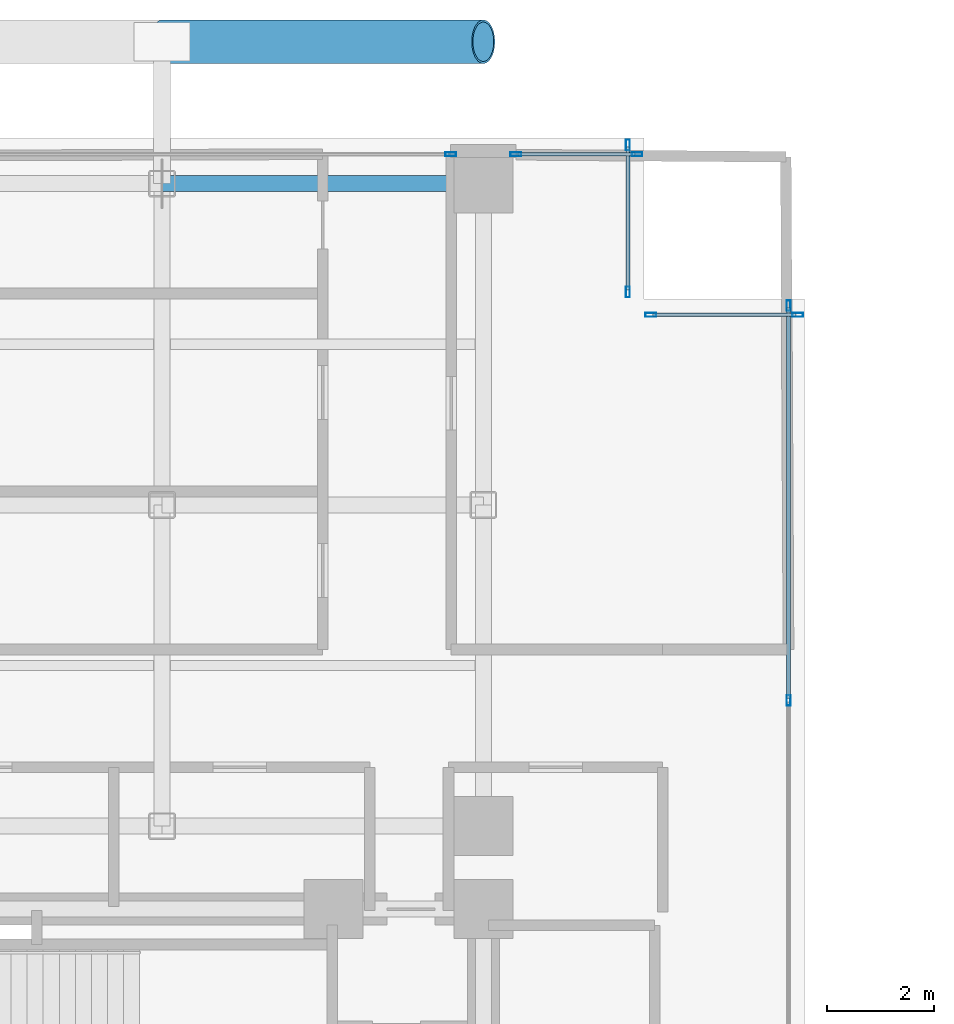
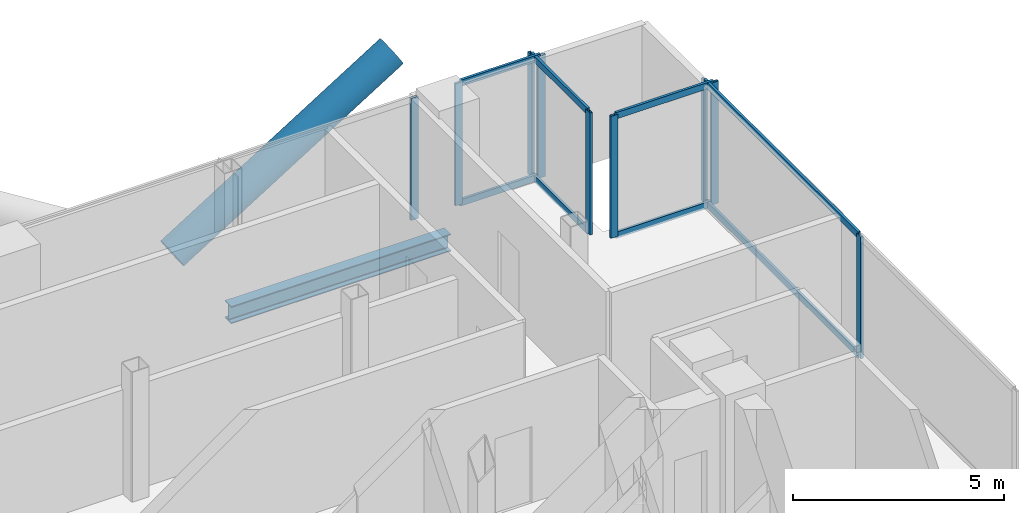
# One storey, part 16 of 24: 18 members, 1 beam, 5 elements without a shape of their own.
"""IFC4 building model written with IfcOpenShell, lengths in metres."""

import ifcopenshell
import ifcopenshell.guid

model = None  # the IFC model being written
_history = None  # IfcOwnerHistory: only IFC2X3 demands one
_inside = {}  # id of a spatial element -> (the spatial element, [elements in it])
_under = {}  # id of a project, library or spatial element -> (it, [spatial elements below it])
_declared = {}  # id of a project -> (the project, [libraries it declares])
_typed = {}  # id of a type object -> (the type object, [elements of that type])
_made_of = {}  # id of a material, layer set ... -> (it, [elements and type objects made of it])


def new_model(schema):
    """Start an empty IFC model of exactly this schema.

    Asked for "IFC4X3", IfcOpenShell would pick the latest addendum, in which some entities
    have other attributes; the version numbers below select the first issue.
    IFC2X3 requires an IfcOwnerHistory on every rooted entity: one is made here for all.
    """
    global model, _history
    if schema == "IFC4X3":
        model = ifcopenshell.file(schema_version=(4, 3, 0, 0))
    else:
        model = ifcopenshell.file(schema=schema)
    _inside.clear()
    _under.clear()
    _declared.clear()
    _typed.clear()
    _made_of.clear()
    _history = None
    if model.schema == "IFC2X3":
        org = make("IfcOrganization", Name="unknown")
        user = make(
            "IfcPersonAndOrganization",
            ThePerson=make("IfcPerson", FamilyName="unknown"),
            TheOrganization=org,
        )
        app = make(
            "IfcApplication",
            ApplicationDeveloper=org,
            Version="unknown",
            ApplicationFullName="unknown",
            ApplicationIdentifier="unknown",
        )
        _history = make(
            "IfcOwnerHistory",
            OwningUser=user,
            OwningApplication=app,
            ChangeAction="ADDED",
            CreationDate=0,
        )
    return model


def make(cls, **values):
    """One entity of the class cls with the attributes given. An attribute that is None is left unset."""
    return model.create_entity(
        cls, **{name: value for name, value in values.items() if value is not None}
    )


def rooted(cls, **values):
    """An entity with a GlobalId (a new one), such as an element, a storey or a relation."""
    return make(cls, GlobalId=ifcopenshell.guid.new(), OwnerHistory=_history, **values)


def si_unit(unit_type, name, prefix=None):
    """IfcSIUnit, for example si_unit("LENGTHUNIT", "METRE", prefix="MILLI")."""
    return make("IfcSIUnit", UnitType=unit_type, Prefix=prefix, Name=name)


def assignment(units):
    """IfcUnitAssignment: the units of a project."""
    return None if units is None else make("IfcUnitAssignment", Units=units)


def point(xyz):
    """IfcCartesianPoint."""
    return None if xyz is None else make("IfcCartesianPoint", Coordinates=xyz)


def direction(xyz):
    """IfcDirection."""
    return None if xyz is None else make("IfcDirection", DirectionRatios=xyz)


def frame(location, z_axis=None, x_axis=None):
    """IfcAxis2Placement3D, a coordinate frame: its origin and axes. An axis left out is left unset."""
    return make(
        "IfcAxis2Placement3D",
        Location=point(location),
        Axis=direction(z_axis),
        RefDirection=direction(x_axis),
    )


def frame_2d(location, x_axis=None):
    """IfcAxis2Placement2D, a coordinate frame in the plane: its origin and x axis."""
    return make(
        "IfcAxis2Placement2D", Location=point(location), RefDirection=direction(x_axis)
    )


def origin():
    """The frame at (0, 0, 0) with its axes left unset."""
    return frame((0.0, 0.0, 0.0))


def origin_2d():
    """The frame at (0, 0) in the plane with its x axis left unset."""
    return frame_2d((0.0, 0.0))


def place(relative_to, where):
    """IfcLocalPlacement: puts the frame where relative to a parent placement (None: the world)."""
    return make(
        "IfcLocalPlacement", PlacementRelTo=relative_to, RelativePlacement=where
    )


def context(
    kind, dimensions, precision=None, world=None, true_north=None, identifier=None
):
    """IfcGeometricRepresentationContext, for example the 3D "Model" context."""
    return make(
        "IfcGeometricRepresentationContext",
        ContextIdentifier=identifier,
        ContextType=kind,
        CoordinateSpaceDimension=dimensions,
        Precision=precision,
        WorldCoordinateSystem=world,
        TrueNorth=true_north,
    )


def subcontext(parent, identifier, kind, view, scale=None):
    """IfcGeometricRepresentationSubContext, for example "Body" below "Model"."""
    return make(
        "IfcGeometricRepresentationSubContext",
        ContextIdentifier=identifier,
        ContextType=kind,
        ParentContext=parent,
        TargetScale=scale,
        TargetView=view,
    )


def project(units=None, contexts=None):
    """IfcProject with its units and contexts."""
    return rooted(
        "IfcProject",
        Name="project",
        RepresentationContexts=contexts,
        UnitsInContext=assignment(units),
    )


def spatial(cls, under=None, at=None, **own):
    """A site, building, storey or space (cls), placed at a placement, below another one or the project."""
    s = rooted(cls, ObjectPlacement=at, **own)
    if under is not None:
        _under.setdefault(under.id(), (under, []))[1].append(s)
    return s


def profile(cls, at=None, kind="AREA", **sizes):
    """A parametric profile (cls). Its sizes go by their IFC names, for example OverallWidth=200.0."""
    return make(cls, ProfileType=kind, Position=at, **sizes)


def hollow_rectangle(**sizes):
    """IfcRectangleHollowProfileDef."""
    return profile("IfcRectangleHollowProfileDef", **sizes)


def hollow_circle(**sizes):
    """IfcCircleHollowProfileDef."""
    return profile("IfcCircleHollowProfileDef", **sizes)


def i_section(**sizes):
    """IfcIShapeProfileDef."""
    return profile("IfcIShapeProfileDef", **sizes)


def extrude(swept, where, along, depth):
    """IfcExtrudedAreaSolid: the profile swept, set in the frame where, extruded along a direction by depth."""
    return make(
        "IfcExtrudedAreaSolid",
        SweptArea=swept,
        Position=where,
        ExtrudedDirection=direction(along),
        Depth=depth,
    )


def shape(context_of_items, identifier, shape_type, items):
    """IfcShapeRepresentation: the items that make up one representation, for example the "Body"."""
    return make(
        "IfcShapeRepresentation",
        ContextOfItems=context_of_items,
        RepresentationIdentifier=identifier,
        RepresentationType=shape_type,
        Items=items,
    )


def material(Name=None, Category=None):
    """IfcMaterial."""
    return make("IfcMaterial", Name=Name, Category=Category)


def layer(
    of_material, thickness, ventilated=None, Name=None, Category=None, Priority=None
):
    """IfcMaterialLayer: one layer of a wall or slab, of a material (None: an air gap)."""
    return make(
        "IfcMaterialLayer",
        Material=of_material,
        LayerThickness=thickness,
        IsVentilated=ventilated,
        Name=Name,
        Category=Category,
        Priority=Priority,
    )


def layer_set(layers, Name=None):
    """IfcMaterialLayerSet."""
    return make("IfcMaterialLayerSet", MaterialLayers=layers, LayerSetName=Name)


def material_profile(
    of_material, cross_section, Name=None, Category=None, Priority=None
):
    """IfcMaterialProfile: a cross section and its material."""
    return make(
        "IfcMaterialProfile",
        Name=Name,
        Material=of_material,
        Profile=cross_section,
        Priority=Priority,
        Category=Category,
    )


def profile_set(profiles, Name=None, composite=None):
    """IfcMaterialProfileSet."""
    return make(
        "IfcMaterialProfileSet",
        Name=Name,
        MaterialProfiles=profiles,
        CompositeProfile=composite,
    )


def made_of(thing, what):
    """Note that an element or type object is made of a material, layer set ...; save() writes the relation."""
    if what is not None:
        _made_of.setdefault(what.id(), (what, []))[1].append(thing)
    return thing


def type_object(cls, material=None, **own):
    """A type object (cls), such as IfcWallType, which elements share."""
    return made_of(rooted(cls, **own), material)


def element(
    cls,
    number,
    at=None,
    inside=None,
    cuts=None,
    type_object=None,
    material=None,
    context=None,
    identifier="Body",
    shape_type=None,
    held_by="IfcProductDefinitionShape",
    body=None,
    shapes=None,
    **own,
):
    """One element of the class cls, such as IfcWall. Its Tag is "e" and its number.

    at: its placement. inside: the storey or other place that contains it. cuts: it is an
    opening in that element (IfcRelVoidsElement). A single representation is given by context,
    identifier, shape_type and body (its items); several are given by shapes. held_by: the class
    of the entity that holds the representations. save() writes the other relations.
    """
    e = rooted(cls, Tag="e%d" % number, ObjectPlacement=at, **own)
    if body is not None:
        shapes = [shape(context, identifier, shape_type, body)]
    if shapes is not None:
        e.Representation = make(held_by, Representations=shapes)
    if inside is not None:
        _inside.setdefault(inside.id(), (inside, []))[1].append(e)
    if cuts is not None:
        rooted(
            "IfcRelVoidsElement", RelatingBuildingElement=cuts, RelatedOpeningElement=e
        )
    if type_object is not None:
        _typed.setdefault(type_object.id(), (type_object, []))[1].append(e)
    return made_of(e, material)


def aggregate(whole, parts):
    """IfcRelAggregates: a whole, such as a stair, and the parts it consists of."""
    return rooted("IfcRelAggregates", RelatingObject=whole, RelatedObjects=parts)


def save(model, path):
    """Write the relations noted so far, then the file.

    IfcRelAggregates (storeys below a building ...), IfcRelContainedInSpatialStructure (elements
    in a storey), IfcRelDefinesByType, IfcRelAssociatesMaterial and IfcRelDeclares: one each for
    every whole, place, type object, material and project.
    """
    for whole, parts in _under.values():
        aggregate(whole, parts)
    for where, things in _inside.values():
        rooted(
            "IfcRelContainedInSpatialStructure",
            RelatedElements=things,
            RelatingStructure=where,
        )
    for kind, things in _typed.values():
        rooted("IfcRelDefinesByType", RelatedObjects=things, RelatingType=kind)
    for what, things in _made_of.values():
        rooted("IfcRelAssociatesMaterial", RelatedObjects=things, RelatingMaterial=what)
    for by, libraries in _declared.values():
        rooted("IfcRelDeclares", RelatingContext=by, RelatedDefinitions=libraries)
    model.write(path)


model = new_model("IFC4")

# Units and contexts
model_context = context("Model", 3, precision=1e-05, world=origin(), true_north=direction((0.0, 1.0)))
body_context = subcontext(model_context, "Body", "Model", "MODEL_VIEW")
ifc_project = project(units=[si_unit("LENGTHUNIT", "METRE"), si_unit("AREAUNIT", "SQUARE_METRE"), si_unit("VOLUMEUNIT", "CUBIC_METRE"), si_unit("PLANEANGLEUNIT", "RADIAN"), si_unit("MASSUNIT", "GRAM", prefix="KILO"), si_unit("THERMODYNAMICTEMPERATUREUNIT", "KELVIN"), si_unit("POWERUNIT", "WATT")], contexts=[model_context])

# Site, building, storey
site_placement = place(None, origin())
site = spatial("IfcSite", under=ifc_project, at=site_placement, CompositionType="ELEMENT")
building_placement = place(site_placement, origin())
building = spatial("IfcBuilding", under=site, at=building_placement, Name="Svarakhadi Broadcast Tower", CompositionType="ELEMENT")
storey_placement = place(building_placement, frame((0.0, 0.0, 115.64990234375)))
storey = spatial("IfcBuildingStorey", under=building, at=storey_placement, Name="L27", CompositionType="ELEMENT", Elevation=115.64990234375)

# Curtain wall, member
ifc_material_1 = material(Name="Anodised Bronze Aluminium AA 6063-T6", Category="aluminium")
ifc_layer = layer(ifc_material_1, 0.199951171875)
ifc_layer_set = layer_set([ifc_layer], Name="Anodised Bronze Aluminium AA 6063-T6")
curtain_wall_type = type_object("IfcCurtainWallType", Name="CW_Sys_03", PredefinedType="NOTDEFINED", material=ifc_layer_set)
curtain_wall_1_placement = place(storey_placement, origin())
curtain_wall_1 = element("IfcCurtainWall", 1, at=curtain_wall_1_placement, inside=storey, type_object=curtain_wall_type, Name="L27 Unitised Facade Curtain Wall 06 Bay 2", PredefinedType="NOTDEFINED")
ifc_material_profile_1 = material_profile(ifc_material_1, hollow_rectangle(XDim=0.074951171875, YDim=0.199951171875, WallThickness=0.005615234375, at=origin_2d()), Name="ALU MULLION 200x75x6")
ifc_profile_set_1 = profile_set([ifc_material_profile_1], Name="Anodised Bronze Aluminium AA 6063-T6")
member_type_1 = type_object("IfcMemberType", Name="CW_Sys_03_Mul", PredefinedType="MULLION", material=ifc_profile_set_1)
member_1_placement = place(storey_placement, frame((17.392578125, 41.699951171875, 0.0), z_axis=(0.0, 0.0, 1.0), x_axis=(0.0, 1.0, 0.0)))
member_1 = element("IfcMember", 2, at=member_1_placement, type_object=member_type_1, Name="CW-03 mullion 2", PredefinedType="MULLION", context=body_context, shape_type="SweptSolid", body=[
    extrude(hollow_rectangle(XDim=0.074951171875, YDim=0.199951171875, WallThickness=0.005615234375, at=origin_2d()), origin(), (0.0, 0.0, 1.0), 3.525146484375),
])
aggregate(curtain_wall_1, [member_1])

# Curtain wall, members
curtain_wall_2_placement = place(storey_placement, origin())
curtain_wall_2 = element("IfcCurtainWall", 3, at=curtain_wall_2_placement, inside=storey, type_object=curtain_wall_type, Name="L27 Unitised Facade Curtain Wall 06 Bay 3", PredefinedType="NOTDEFINED")
member_2_placement = place(storey_placement, frame((18.607421875, 41.699951171875, 0.0), z_axis=(0.0, 0.0, 1.0), x_axis=(0.0, 1.0, 0.0)))
member_2 = element("IfcMember", 4, at=member_2_placement, type_object=member_type_1, Name="CW-03 mullion 1", PredefinedType="MULLION", context=body_context, shape_type="SweptSolid", body=[
    extrude(hollow_rectangle(XDim=0.074951171875, YDim=0.199951171875, WallThickness=0.005615234375, at=origin_2d()), origin(), (0.0, 0.0, 1.0), 3.525146484375),
])
member_3_placement = place(storey_placement, frame((20.87255859375, 41.699951171875, 0.0), z_axis=(0.0, 0.0, 1.0), x_axis=(0.0, 1.0, 0.0)))
member_3 = element("IfcMember", 5, at=member_3_placement, type_object=member_type_1, Name="CW-03 mullion 2", PredefinedType="MULLION", context=body_context, shape_type="SweptSolid", body=[
    extrude(hollow_rectangle(XDim=0.074951171875, YDim=0.199951171875, WallThickness=0.005615234375, at=origin_2d()), origin(), (0.0, 0.0, 1.0), 3.525146484375),
])

curtain_wall_3_placement = place(storey_placement, origin())
curtain_wall_3 = element("IfcCurtainWall", 6, at=curtain_wall_3_placement, inside=storey, type_object=curtain_wall_type, Name="L27 Unitised Facade Curtain Wall 07", PredefinedType="NOTDEFINED")
member_4_placement = place(storey_placement, frame((20.699951171875, 41.87255859375, 0.0), z_axis=(0.0, 0.0, 1.0), x_axis=(1.0, 0.0, 0.0)))
member_4 = element("IfcMember", 7, at=member_4_placement, type_object=member_type_1, Name="CW-03 mullion 1", PredefinedType="MULLION", context=body_context, shape_type="SweptSolid", body=[
    extrude(hollow_rectangle(XDim=0.074951171875, YDim=0.199951171875, WallThickness=0.005615234375, at=origin_2d()), origin(), (0.0, 0.0, 1.0), 3.525146484375),
])
member_5_placement = place(storey_placement, frame((20.699951171875, 39.12744140625, 0.0), z_axis=(0.0, 0.0, 1.0), x_axis=(1.0, 0.0, 0.0)))
member_5 = element("IfcMember", 8, at=member_5_placement, type_object=member_type_1, Name="CW-03 mullion 2", PredefinedType="MULLION", context=body_context, shape_type="SweptSolid", body=[
    extrude(hollow_rectangle(XDim=0.074951171875, YDim=0.199951171875, WallThickness=0.005615234375, at=origin_2d()), origin(), (0.0, 0.0, 1.0), 3.525146484375),
])

curtain_wall_4_placement = place(storey_placement, origin())
curtain_wall_4 = element("IfcCurtainWall", 9, at=curtain_wall_4_placement, inside=storey, type_object=curtain_wall_type, Name="L27 Unitised Facade Curtain Wall 08", PredefinedType="NOTDEFINED")
member_6_placement = place(storey_placement, frame((21.12744140625, 38.699951171875, 0.0), z_axis=(0.0, 0.0, 1.0), x_axis=(0.0, 1.0, 0.0)))
member_6 = element("IfcMember", 10, at=member_6_placement, type_object=member_type_1, Name="CW-03 mullion 1", PredefinedType="MULLION", context=body_context, shape_type="SweptSolid", body=[
    extrude(hollow_rectangle(XDim=0.074951171875, YDim=0.199951171875, WallThickness=0.005615234375, at=origin_2d()), origin(), (0.0, 0.0, 1.0), 3.525146484375),
])
member_7_placement = place(storey_placement, frame((23.87255859375, 38.699951171875, 0.0), z_axis=(0.0, 0.0, 1.0), x_axis=(0.0, 1.0, 0.0)))
member_7 = element("IfcMember", 11, at=member_7_placement, type_object=member_type_1, Name="CW-03 mullion 2", PredefinedType="MULLION", context=body_context, shape_type="SweptSolid", body=[
    extrude(hollow_rectangle(XDim=0.074951171875, YDim=0.199951171875, WallThickness=0.005615234375, at=origin_2d()), origin(), (0.0, 0.0, 1.0), 3.525146484375),
])

curtain_wall_5_placement = place(storey_placement, origin())
curtain_wall_5 = element("IfcCurtainWall", 12, at=curtain_wall_5_placement, inside=storey, type_object=curtain_wall_type, Name="L27 Unitised Facade Curtain Wall 09", PredefinedType="NOTDEFINED")
member_8_placement = place(storey_placement, frame((23.699951171875, 38.87255859375, 0.0), z_axis=(0.0, 0.0, 1.0), x_axis=(1.0, 0.0, 0.0)))
member_8 = element("IfcMember", 13, at=member_8_placement, type_object=member_type_1, Name="CW-03 mullion 1", PredefinedType="MULLION", context=body_context, shape_type="SweptSolid", body=[
    extrude(hollow_rectangle(XDim=0.074951171875, YDim=0.199951171875, WallThickness=0.005615234375, at=origin_2d()), origin(), (0.0, 0.0, 1.0), 3.525146484375),
])
member_9_placement = place(storey_placement, frame((23.699951171875, 31.5, 0.0), z_axis=(0.0, 0.0, 1.0), x_axis=(1.0, 0.0, 0.0)))
member_9 = element("IfcMember", 14, at=member_9_placement, type_object=member_type_1, Name="CW-03 mullion 2", PredefinedType="MULLION", context=body_context, shape_type="SweptSolid", body=[
    extrude(hollow_rectangle(XDim=0.074951171875, YDim=0.199951171875, WallThickness=0.005615234375, at=origin_2d()), origin(), (0.0, 0.0, 1.0), 3.525146484375),
])

# Member
ifc_material_profile_2 = material_profile(ifc_material_1, hollow_rectangle(XDim=0.070068359375, YDim=0.18505859375, WallThickness=0.0048828125, at=origin_2d()), Name="ALU TRANSOM 185x70x5")
ifc_profile_set_2 = profile_set([ifc_material_profile_2], Name="Anodised Bronze Aluminium AA 6063-T6")
member_type_2 = type_object("IfcMemberType", Name="CW_Sys_03_Trn", PredefinedType="USERDEFINED", material=ifc_profile_set_2)
member_10_placement = place(storey_placement, frame((18.64501953125, 41.699951171875, 0.03515625), z_axis=(1.0, 0.0, 0.0), x_axis=(0.0, 1.0, 0.0)))
member_10 = element("IfcMember", 15, at=member_10_placement, type_object=member_type_2, Name="CW-03 transom 1.1", ObjectType="TRANSOM", PredefinedType="USERDEFINED", context=body_context, shape_type="SweptSolid", body=[
    extrude(hollow_rectangle(XDim=0.070068359375, YDim=0.18505859375, WallThickness=0.0048828125, at=origin_2d()), origin(), (0.0, 0.0, 1.0), 2.18994140625),
])

member_11_placement = place(storey_placement, frame((18.64501953125, 41.699951171875, 3.489990234375), z_axis=(1.0, 0.0, 0.0), x_axis=(0.0, 1.0, 0.0)))
member_11 = element("IfcMember", 16, at=member_11_placement, type_object=member_type_2, Name="CW-03 transom 1.2", ObjectType="TRANSOM", PredefinedType="USERDEFINED", context=body_context, shape_type="SweptSolid", body=[
    extrude(hollow_rectangle(XDim=0.070068359375, YDim=0.18505859375, WallThickness=0.0048828125, at=origin_2d()), origin(), (0.0, 0.0, 1.0), 2.18994140625),
])

aggregate(curtain_wall_2, [member_2, member_3, member_10, member_11])

member_12_placement = place(storey_placement, frame((20.699951171875, 41.8349609375, 0.03515625), z_axis=(0.0, -1.0, 0.0), x_axis=(1.0, 0.0, 0.0)))
member_12 = element("IfcMember", 17, at=member_12_placement, type_object=member_type_2, Name="CW-03 transom 1.1", ObjectType="TRANSOM", PredefinedType="USERDEFINED", context=body_context, shape_type="SweptSolid", body=[
    extrude(hollow_rectangle(XDim=0.070068359375, YDim=0.18505859375, WallThickness=0.0048828125, at=origin_2d()), origin(), (0.0, 0.0, 1.0), 2.669921875),
])

member_13_placement = place(storey_placement, frame((20.699951171875, 41.8349609375, 3.489990234375), z_axis=(0.0, -1.0, 0.0), x_axis=(1.0, 0.0, 0.0)))
member_13 = element("IfcMember", 18, at=member_13_placement, type_object=member_type_2, Name="CW-03 transom 1.2", ObjectType="TRANSOM", PredefinedType="USERDEFINED", context=body_context, shape_type="SweptSolid", body=[
    extrude(hollow_rectangle(XDim=0.070068359375, YDim=0.18505859375, WallThickness=0.0048828125, at=origin_2d()), origin(), (0.0, 0.0, 1.0), 2.669921875),
])

aggregate(curtain_wall_3, [member_4, member_5, member_12, member_13])

member_14_placement = place(storey_placement, frame((21.1650390625, 38.699951171875, 0.03515625), z_axis=(1.0, 0.0, 0.0), x_axis=(0.0, 1.0, 0.0)))
member_14 = element("IfcMember", 19, at=member_14_placement, type_object=member_type_2, Name="CW-03 transom 1.1", ObjectType="TRANSOM", PredefinedType="USERDEFINED", context=body_context, shape_type="SweptSolid", body=[
    extrude(hollow_rectangle(XDim=0.070068359375, YDim=0.18505859375, WallThickness=0.0048828125, at=origin_2d()), origin(), (0.0, 0.0, 1.0), 2.669921875),
])

member_15_placement = place(storey_placement, frame((21.1650390625, 38.699951171875, 3.489990234375), z_axis=(1.0, 0.0, 0.0), x_axis=(0.0, 1.0, 0.0)))
member_15 = element("IfcMember", 20, at=member_15_placement, type_object=member_type_2, Name="CW-03 transom 1.2", ObjectType="TRANSOM", PredefinedType="USERDEFINED", context=body_context, shape_type="SweptSolid", body=[
    extrude(hollow_rectangle(XDim=0.070068359375, YDim=0.18505859375, WallThickness=0.0048828125, at=origin_2d()), origin(), (0.0, 0.0, 1.0), 2.669921875),
])

aggregate(curtain_wall_4, [member_6, member_7, member_14, member_15])

member_16_placement = place(storey_placement, frame((23.699951171875, 38.8349609375, 0.03515625), z_axis=(0.0, -1.0, 0.0), x_axis=(1.0, 0.0, 0.0)))
member_16 = element("IfcMember", 21, at=member_16_placement, type_object=member_type_2, Name="CW-03 transom 1.1", ObjectType="TRANSOM", PredefinedType="USERDEFINED", context=body_context, shape_type="SweptSolid", body=[
    extrude(hollow_rectangle(XDim=0.070068359375, YDim=0.18505859375, WallThickness=0.0048828125, at=origin_2d()), origin(), (0.0, 0.0, 1.0), 7.29736328125),
])

member_17_placement = place(storey_placement, frame((23.699951171875, 38.8349609375, 3.489990234375), z_axis=(0.0, -1.0, 0.0), x_axis=(1.0, 0.0, 0.0)))
member_17 = element("IfcMember", 22, at=member_17_placement, type_object=member_type_2, Name="CW-03 transom 1.2", ObjectType="TRANSOM", PredefinedType="USERDEFINED", context=body_context, shape_type="SweptSolid", body=[
    extrude(hollow_rectangle(XDim=0.070068359375, YDim=0.18505859375, WallThickness=0.0048828125, at=origin_2d()), origin(), (0.0, 0.0, 1.0), 7.29736328125),
])

aggregate(curtain_wall_5, [member_8, member_9, member_16, member_17])

ifc_material_2 = material(Name="Steel S460ML (IS 2062 E450BR)", Category="steel")
ifc_material_profile_3 = material_profile(ifc_material_2, hollow_circle(Radius=0.406494140625, WallThickness=0.0400390625, at=origin_2d()), Name="CHS 813x40")
ifc_profile_set_3 = profile_set([ifc_material_profile_3], Name="Steel S460ML (IS 2062 E450BR)")
member_type_3 = type_object("IfcMemberType", Name="Exo_Brace_CHS813", PredefinedType="BRACE", material=ifc_profile_set_3)
member_18_placement = place(storey_placement, frame((12.0, 43.800048828125, -0.386962890625), z_axis=(0.847998304005, 0.0, 0.529998940003), x_axis=(0.0, 1.0, 0.0)))
element("IfcMember", 23, at=member_18_placement, inside=storey, type_object=member_type_3, Name="L27 Exposed Bronze Exoskeleton Diagonal N09", PredefinedType="BRACE", context=body_context, shape_type="SweptSolid", body=[
    extrude(hollow_circle(Radius=0.406494140625, WallThickness=0.0400390625, at=origin_2d()), origin(), (0.0, 0.0, 1.0), 7.075439453125),
])

# Beam
ifc_material_3 = material(Name="Steel S355J2 (IS 2062 E350C)", Category="steel")
ifc_material_profile_4 = material_profile(ifc_material_3, i_section(OverallWidth=0.300048828125, OverallDepth=0.5, WebThickness=0.014404296875, FlangeThickness=0.028076171875, FilletRadius=0.027099609375, at=origin_2d()), Name="WPB 500x300x187")
ifc_profile_set_4 = profile_set([ifc_material_profile_4], Name="Steel S355J2 (IS 2062 E350C)")
beam_type = type_object("IfcBeamType", Name="Girder_WPB500", PredefinedType="USERDEFINED", material=ifc_profile_set_4)
beam_placement = place(storey_placement, frame((12.0, 41.14990234375, -0.474853515625), z_axis=(1.0, 0.0, 0.0), x_axis=(0.0, 1.0, 0.0)))
element("IfcBeam", 24, at=beam_placement, inside=storey, type_object=beam_type, Name="L27 Primary E-W Girder G039", ObjectType="GIRDER", PredefinedType="USERDEFINED", context=body_context, shape_type="SweptSolid", body=[
    extrude(i_section(OverallWidth=0.300048828125, OverallDepth=0.5, WebThickness=0.014404296875, FlangeThickness=0.028076171875, FilletRadius=0.027099609375, at=origin_2d()), origin(), (0.0, 0.0, 1.0), 6.0),
])

save(model, "model.ifc")
